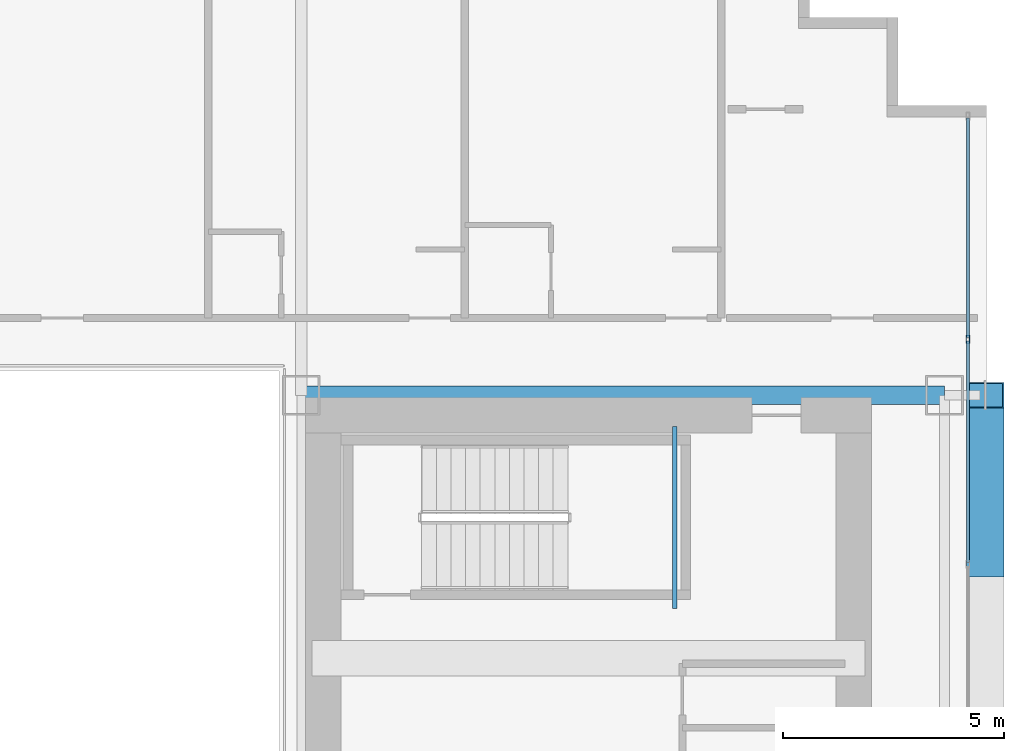
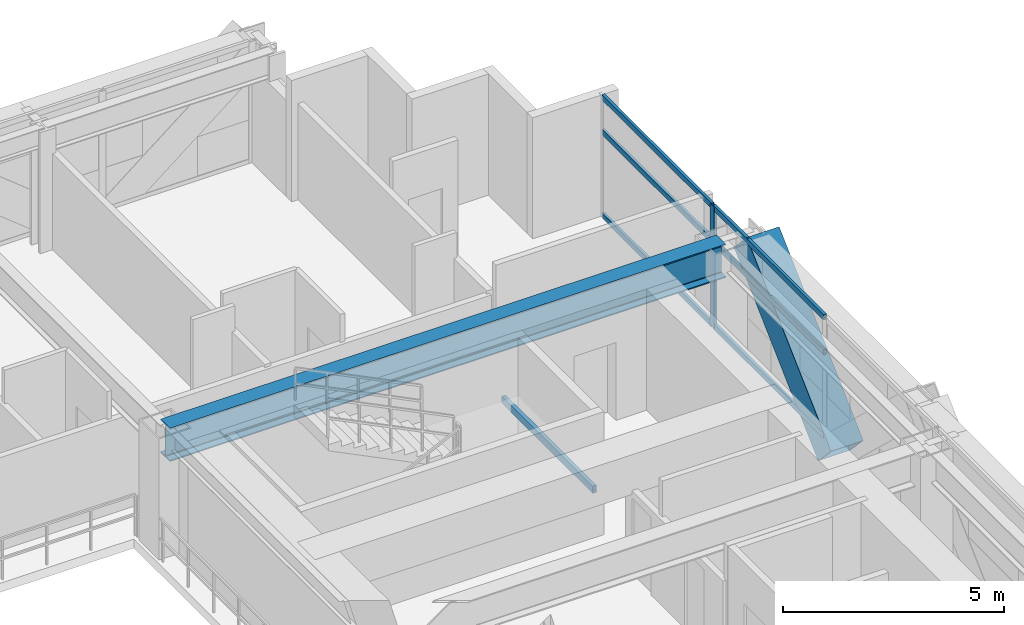
# One storey, part 20 of 38: 8 members, 2 beams, 1 element without a shape of its own.
"""IFC4 building model written with IfcOpenShell, lengths in metres."""

from ifc_helpers import new_model, si_unit, direction, frame, origin, origin_2d, place, context, subcontext, project, spatial, hollow_rectangle, i_section, extrude, source, transform, mapped, material, layer, layer_set, material_profile, profile_set, type_object, element, aggregate, save


model = new_model("IFC4")

# Units and contexts
model_context = context("Model", 3, precision=1e-05, world=origin(), true_north=direction((0.0, 1.0)))
body_context = subcontext(model_context, "Body", "Model", "MODEL_VIEW")
ifc_project = project(units=[si_unit("LENGTHUNIT", "METRE"), si_unit("AREAUNIT", "SQUARE_METRE"), si_unit("VOLUMEUNIT", "CUBIC_METRE"), si_unit("PLANEANGLEUNIT", "RADIAN"), si_unit("MASSUNIT", "GRAM", prefix="KILO")], contexts=[model_context])

# Site, building, storey
site_placement = place(None, origin())
site = spatial("IfcSite", under=ifc_project, at=site_placement, CompositionType="ELEMENT")
building_placement = place(site_placement, origin())
building = spatial("IfcBuilding", under=site, at=building_placement, Name="Ocotamira Hotel", CompositionType="ELEMENT")
storey_placement = place(building_placement, frame((0.0, 0.0, 45.60009765625)))
storey = spatial("IfcBuildingStorey", under=building, at=storey_placement, Name="L10", CompositionType="ELEMENT", Elevation=45.60009765625)

# Beams
ifc_material_1 = material(Name="Steel ASTM A500 Grade C", Category="steel")
ifc_material_profile_1 = material_profile(ifc_material_1, hollow_rectangle(XDim=0.10009765625, YDim=0.199951171875, WallThickness=0.008056640625, at=origin_2d()), Name="HSS200X100X8")
ifc_profile_set_1 = profile_set([ifc_material_profile_1], Name="Steel ASTM A500 Grade C")
beam_type_1 = type_object("IfcBeamType", Name="BM-STLDG-HSS200", PredefinedType="BEAM", material=ifc_profile_set_1)
shared_shape_1 = source(origin(), body_context, "Body", "SweptSolid", [
    extrude(hollow_rectangle(XDim=0.10009765625, YDim=0.199951171875, WallThickness=0.008056640625, at=origin_2d()), origin(), (0.0, 0.0, 1.0), 4.1201171875),
])
beam_1_placement = place(storey_placement, frame((48.949951171875, 32.6298828125, 1.5), z_axis=(0.0, 1.0, 0.0), x_axis=(-1.0, 0.0, 0.0)))
element("IfcBeam", 1, at=beam_1_placement, inside=storey, type_object=beam_type_1, Name="L10 Stair ST-4 Landing Bearer 1", PredefinedType="BEAM", context=body_context, shape_type="MappedRepresentation", body=[
    mapped(shared_shape_1, transform((0.0, 0.0, 0.0), scale=1.0)),
])
ifc_material_2 = material(Name="Steel ASTM A992 Grade 50", Category="steel")
ifc_material_profile_2 = material_profile(ifc_material_2, i_section(OverallWidth=0.41796875, OverallDepth=0.927001953125, WebThickness=0.019287109375, FlangeThickness=0.031982421875, FilletRadius=0.02392578125, at=origin_2d()), Name="W36X231")
ifc_profile_set_2 = profile_set([ifc_material_profile_2], Name="Steel ASTM A992 Grade 50")
beam_type_2 = type_object("IfcBeamType", Name="BM-GIRD-W36X231", PredefinedType="BEAM", material=ifc_profile_set_2)
shared_shape_2 = source(origin(), body_context, "Body", "SweptSolid", [
    extrude(i_section(OverallWidth=0.41796875, OverallDepth=0.927001953125, WebThickness=0.019287109375, FlangeThickness=0.031982421875, FilletRadius=0.02392578125, at=origin_2d()), origin(), (0.0, 0.0, 1.0), 14.550048828125),
])
beam_2_placement = place(storey_placement, frame((40.5, 37.449951171875, 2.886474609375), z_axis=(1.0, 0.0, 0.0), x_axis=(0.0, 1.0, 0.0)))
element("IfcBeam", 2, at=beam_2_placement, inside=storey, type_object=beam_type_2, Name="L10 Girder Y37.45 X40.5-55.05", PredefinedType="BEAM", context=body_context, shape_type="MappedRepresentation", body=[
    mapped(shared_shape_2, transform((0.0, 0.0, 0.0), scale=1.0)),
])

# Member
ifc_material_3 = material(Name="Pale-metal coated steel ASTM A913 Grade 65", Category="steel")
ifc_material_profile_3 = material_profile(ifc_material_3, hollow_rectangle(XDim=0.85009765625, YDim=0.85009765625, WallThickness=0.035888671875, at=origin_2d()), Name="BOX850X850X36")
ifc_profile_set_3 = profile_set([ifc_material_profile_3], Name="Pale-metal coated steel ASTM A913 Grade 65")
member_type_1 = type_object("IfcMemberType", Name="MEM-EXO-BOX850", PredefinedType="BRACE", material=ifc_profile_set_3)
shared_shape_3 = source(origin(), body_context, "Body", "SweptSolid", [
    extrude(hollow_rectangle(XDim=0.85009765625, YDim=0.85009765625, WallThickness=0.035888671875, at=origin_2d()), origin(), (0.0, 0.0, 1.0), 5.24658203125),
])
member_1_placement = place(storey_placement, frame((55.969970703125, 33.63330078125, -0.5), z_axis=(0.0, 0.72746596067, 0.686143772154), x_axis=(-1.0, 0.0, 0.0)))
element("IfcMember", 3, at=member_1_placement, inside=storey, type_object=member_type_1, Name="L10 Exoskeleton Diagrid E2.2", PredefinedType="BRACE", context=body_context, shape_type="MappedRepresentation", body=[
    mapped(shared_shape_3, transform((0.0, 0.0, 0.0), scale=1.0)),
])

# Curtain wall, members
ifc_material_4 = material(Name="Anodised pale-metal aluminium and solar glass", Category="aluminium")
ifc_layer = layer(ifc_material_4, 0.179931640625)
ifc_layer_set = layer_set([ifc_layer], Name="Anodised pale-metal aluminium and solar glass")
curtain_wall_type = type_object("IfcCurtainWallType", Name="CW-SYS2-Z1", PredefinedType="NOTDEFINED", material=ifc_layer_set)
curtain_wall_placement = place(storey_placement, origin())
curtain_wall = element("IfcCurtainWall", 4, at=curtain_wall_placement, inside=storey, type_object=curtain_wall_type, Name="L10 Curtain Wall CW-2 CW-L10-E", PredefinedType="NOTDEFINED")
ifc_material_5 = material(Name="Anodised pale-metal aluminium 6063-T6", Category="aluminium")
ifc_material_profile_4 = material_profile(ifc_material_5, hollow_rectangle(XDim=0.080078125, YDim=0.179931640625, WallThickness=0.006103515625, at=origin_2d()), Name="HSS180X80X6")
ifc_profile_set_4 = profile_set([ifc_material_profile_4], Name="Anodised pale-metal aluminium 6063-T6")
member_type_2 = type_object("IfcMemberType", Name="CWM-180X75", PredefinedType="MULLION", material=ifc_profile_set_4)
shared_shape_4 = source(origin(), body_context, "Body", "SweptSolid", [
    extrude(hollow_rectangle(XDim=0.080078125, YDim=0.179931640625, WallThickness=0.006103515625, at=origin_2d()), origin(), (0.0, 0.0, 1.0), 3.349853515625),
])
member_2_placement = place(storey_placement, frame((55.580078125, 38.71435546875, 0.0), z_axis=(0.0, 0.0, 1.0), x_axis=(-1.0, 0.0, 0.0)))
member_2 = element("IfcMember", 5, at=member_2_placement, type_object=member_type_2, Name="CW-2 mullion 7", PredefinedType="MULLION", context=body_context, shape_type="MappedRepresentation", body=[
    mapped(shared_shape_4, transform((0.0, 0.0, 0.0), scale=1.0)),
])
ifc_material_profile_5 = material_profile(ifc_material_5, hollow_rectangle(XDim=0.074951171875, YDim=0.14990234375, WallThickness=0.006103515625, at=origin_2d()), Name="HSS150X75X6")
ifc_profile_set_5 = profile_set([ifc_material_profile_5], Name="Anodised pale-metal aluminium 6063-T6")
member_type_3 = type_object("IfcMemberType", Name="CWT-150X75", PredefinedType="USERDEFINED", material=ifc_profile_set_5)
shared_shape_5 = source(origin(), body_context, "Body", "SweptSolid", [
    extrude(hollow_rectangle(XDim=0.074951171875, YDim=0.14990234375, WallThickness=0.006103515625, at=origin_2d()), origin(), (0.0, 0.0, 1.0), 4.965576171875),
])
member_3_placement = place(storey_placement, frame((55.580078125, 38.75439453125, 0.037353515625), z_axis=(0.0, 1.0, 0.0), x_axis=(-1.0, 0.0, 0.0)))
member_3 = element("IfcMember", 6, at=member_3_placement, type_object=member_type_3, Name="CW-2 transom 7.1", ObjectType="TRANSOM", PredefinedType="USERDEFINED", context=body_context, shape_type="MappedRepresentation", body=[
    mapped(shared_shape_5, transform((0.0, 0.0, 0.0), scale=1.0)),
])
member_4_placement = place(storey_placement, frame((55.580078125, 38.75439453125, 2.349853515625), z_axis=(0.0, 1.0, 0.0), x_axis=(-1.0, 0.0, 0.0)))
member_4 = element("IfcMember", 7, at=member_4_placement, type_object=member_type_3, Name="CW-2 transom 7.2", ObjectType="TRANSOM", PredefinedType="USERDEFINED", context=body_context, shape_type="MappedRepresentation", body=[
    mapped(shared_shape_5, transform((0.0, 0.0, 0.0), scale=1.0)),
])
member_5_placement = place(storey_placement, frame((55.580078125, 38.75439453125, 3.3125), z_axis=(0.0, 1.0, 0.0), x_axis=(-1.0, 0.0, 0.0)))
member_5 = element("IfcMember", 8, at=member_5_placement, type_object=member_type_3, Name="CW-2 transom 7.3", ObjectType="TRANSOM", PredefinedType="USERDEFINED", context=body_context, shape_type="MappedRepresentation", body=[
    mapped(shared_shape_5, transform((0.0, 0.0, 0.0), scale=1.0)),
])
shared_shape_6 = source(origin(), body_context, "Body", "SweptSolid", [
    extrude(hollow_rectangle(XDim=0.074951171875, YDim=0.14990234375, WallThickness=0.006103515625, at=origin_2d()), origin(), (0.0, 0.0, 1.0), 5.005859375),
])
member_6_placement = place(storey_placement, frame((55.580078125, 33.66845703125, 0.037353515625), z_axis=(0.0, 1.0, 0.0), x_axis=(-1.0, 0.0, 0.0)))
member_6 = element("IfcMember", 9, at=member_6_placement, type_object=member_type_3, Name="CW-2 transom 6.1", ObjectType="TRANSOM", PredefinedType="USERDEFINED", context=body_context, shape_type="MappedRepresentation", body=[
    mapped(shared_shape_6, transform((0.0, 0.0, 0.0), scale=1.0)),
])
member_7_placement = place(storey_placement, frame((55.580078125, 33.66845703125, 2.349853515625), z_axis=(0.0, 1.0, 0.0), x_axis=(-1.0, 0.0, 0.0)))
member_7 = element("IfcMember", 10, at=member_7_placement, type_object=member_type_3, Name="CW-2 transom 6.2", ObjectType="TRANSOM", PredefinedType="USERDEFINED", context=body_context, shape_type="MappedRepresentation", body=[
    mapped(shared_shape_6, transform((0.0, 0.0, 0.0), scale=1.0)),
])
member_8_placement = place(storey_placement, frame((55.580078125, 33.66845703125, 3.3125), z_axis=(0.0, 1.0, 0.0), x_axis=(-1.0, 0.0, 0.0)))
member_8 = element("IfcMember", 11, at=member_8_placement, type_object=member_type_3, Name="CW-2 transom 6.3", ObjectType="TRANSOM", PredefinedType="USERDEFINED", context=body_context, shape_type="MappedRepresentation", body=[
    mapped(shared_shape_6, transform((0.0, 0.0, 0.0), scale=1.0)),
])
aggregate(curtain_wall, [member_2, member_6, member_7, member_8, member_3, member_4, member_5])

save(model, "model.ifc")
